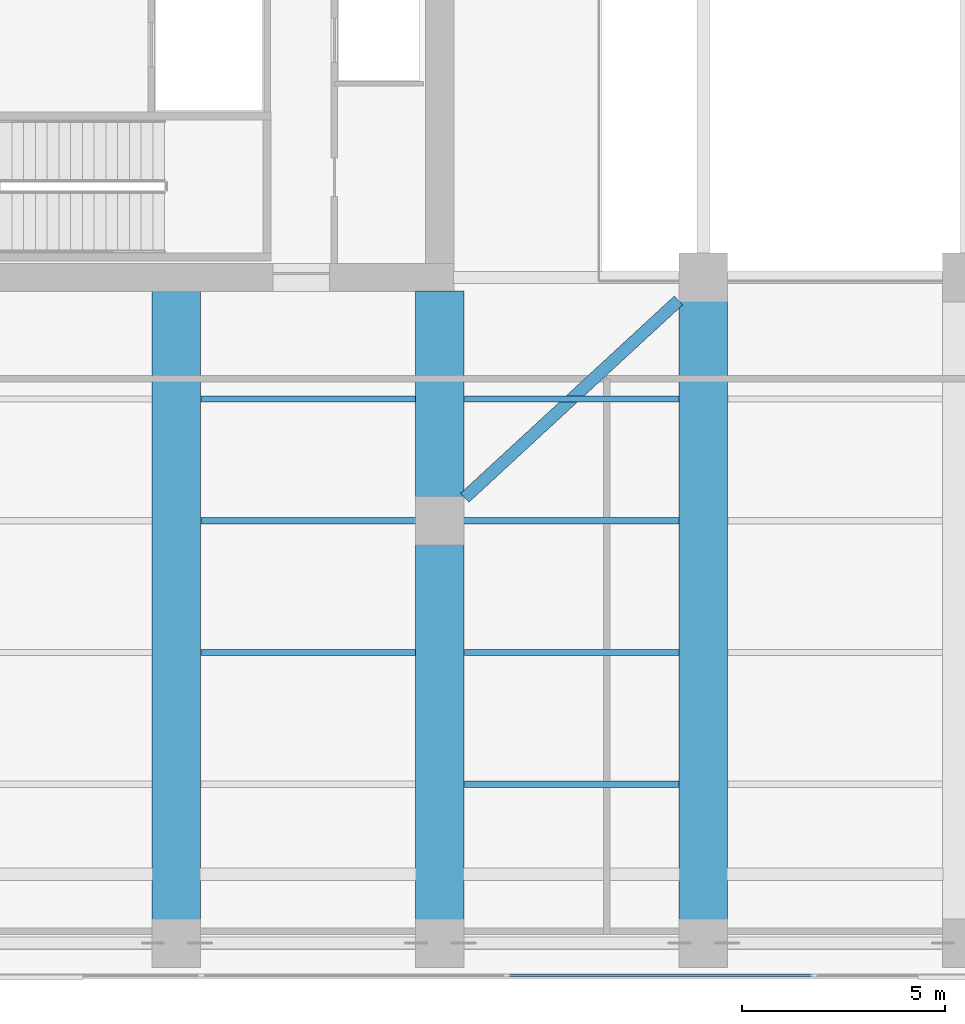
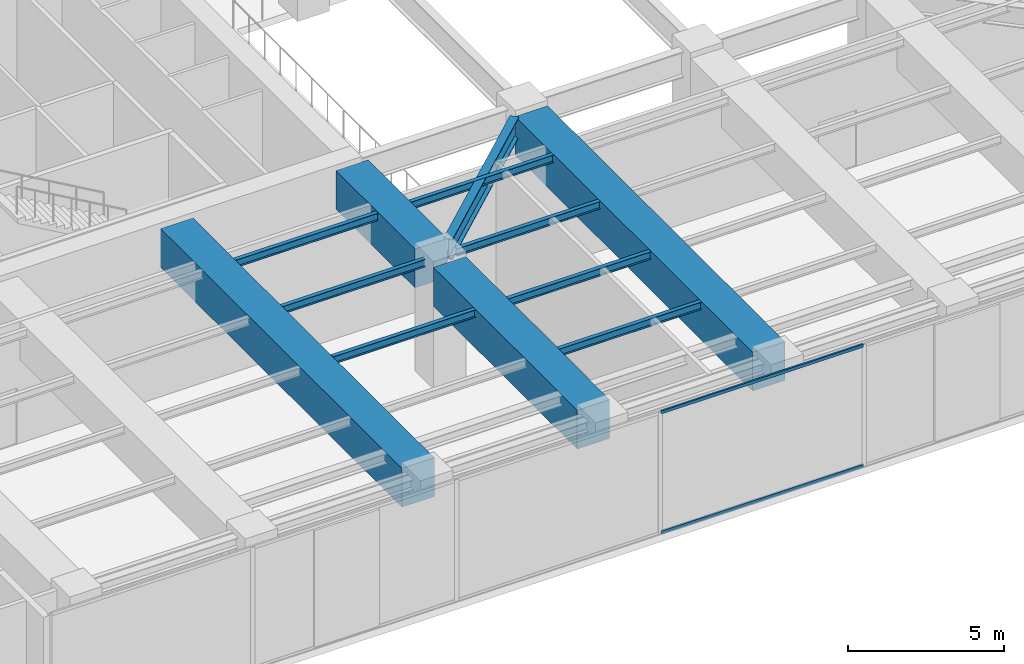
# One storey, part 3 of 28: 12 beams, 2 members, 1 element without a shape of its own.
"""IFC4 building model written with IfcOpenShell, lengths in metres."""

from ifc_helpers import new_model, si_unit, direction, frame, origin, origin_2d, place, context, subcontext, project, spatial, rectangle, i_section, extrude, material, layer, layer_set, material_profile, profile_set, type_object, element, aggregate, save


model = new_model("IFC4")

# Units and contexts
model_context = context("Model", 3, precision=1e-05, world=origin(), true_north=direction((0.0, 1.0)))
body_context = subcontext(model_context, "Body", "Model", "MODEL_VIEW")
ifc_project = project(units=[si_unit("LENGTHUNIT", "METRE"), si_unit("AREAUNIT", "SQUARE_METRE"), si_unit("VOLUMEUNIT", "CUBIC_METRE"), si_unit("PLANEANGLEUNIT", "RADIAN"), si_unit("MASSUNIT", "GRAM", prefix="KILO")], contexts=[model_context])

# Site, building, storey
site_placement = place(None, origin())
site = spatial("IfcSite", under=ifc_project, at=site_placement, CompositionType="ELEMENT")
building_placement = place(site_placement, origin())
building = spatial("IfcBuilding", under=site, at=building_placement, Name="Putna Gate Headquarters", CompositionType="ELEMENT")
storey_placement = place(building_placement, frame((0.0, 0.0, 139.199951171875)))
storey = spatial("IfcBuildingStorey", under=building, at=storey_placement, Name="L34", CompositionType="ELEMENT", Elevation=139.199951171875)

# Beams
ifc_material_1 = material(Name="Steel S355J2", Category="steel")
ifc_material_profile_1 = material_profile(ifc_material_1, i_section(OverallWidth=0.300048828125, OverallDepth=0.800048828125, WebThickness=0.017578125, FlangeThickness=0.032958984375, at=origin_2d()), Name="Steel S355J2")
ifc_profile_set_1 = profile_set([ifc_material_profile_1], Name="Steel S355J2")
beam_type_1 = type_object("IfcBeamType", Name="BM-GIRD-P-HEB800", PredefinedType="USERDEFINED", material=ifc_profile_set_1)
beam_1_placement = place(storey_placement, frame((26.6142578125, 13.56689453125, 4.3720703125), z_axis=(0.734787788201, 0.678297063469, 0.0), x_axis=(-0.678297063469, 0.734787788201, 0.0)))
element("IfcBeam", 1, at=beam_1_placement, inside=storey, type_object=beam_type_1, Name="L34 Core Flank Collector Tie Girder SW", ObjectType="GIRDER", PredefinedType="USERDEFINED", context=body_context, shape_type="SweptSolid", body=[
    extrude(i_section(OverallWidth=0.300048828125, OverallDepth=0.800048828125, WebThickness=0.017578125, FlangeThickness=0.032958984375, at=origin_2d()), origin(), (0.0, 0.0, 1.0), 7.174072265625),
])
ifc_material_profile_2 = material_profile(ifc_material_1, i_section(OverallWidth=0.14990234375, OverallDepth=0.300048828125, WebThickness=0.007080078125, FlangeThickness=0.0107421875, at=origin_2d()), Name="Steel S355J2")
ifc_profile_set_2 = profile_set([ifc_material_profile_2], Name="Steel S355J2")
beam_type_2 = type_object("IfcBeamType", Name="BM-SEC-Z3-IPE300", PredefinedType="JOIST", material=ifc_profile_set_2)
beam_2_placement = place(storey_placement, frame((20.10400390625, 9.75, 4.6220703125), z_axis=(1.0, 0.0, 0.0), x_axis=(0.0, 1.0, 0.0)))
element("IfcBeam", 2, at=beam_2_placement, inside=storey, type_object=beam_type_2, Name="L34 South Secondary Beam 3", PredefinedType="JOIST", context=body_context, shape_type="SweptSolid", body=[
    extrude(i_section(OverallWidth=0.14990234375, OverallDepth=0.300048828125, WebThickness=0.007080078125, FlangeThickness=0.0107421875, at=origin_2d()), origin(), (0.0, 0.0, 1.0), 5.2919921875),
])
beam_3_placement = place(storey_placement, frame((20.10400390625, 13.0, 4.6220703125), z_axis=(1.0, 0.0, 0.0), x_axis=(0.0, 1.0, 0.0)))
element("IfcBeam", 3, at=beam_3_placement, inside=storey, type_object=beam_type_2, Name="L34 South Secondary Beam 3", PredefinedType="JOIST", context=body_context, shape_type="SweptSolid", body=[
    extrude(i_section(OverallWidth=0.14990234375, OverallDepth=0.300048828125, WebThickness=0.007080078125, FlangeThickness=0.0107421875, at=origin_2d()), origin(), (0.0, 0.0, 1.0), 5.30810546875),
])
for number, where, z_axis, x_axis, name in (
    (4, (20.10400390625, 16.0, 4.6220703125), (1.0, 0.0, 0.0), (0.0, 1.0, 0.0), "L34 South Secondary Beam 3"),
    (5, (26.60400390625, 6.5, 4.6220703125), (1.0, 0.0, 0.0), (0.0, 1.0, 0.0), "L34 South Secondary Beam 4"),
    (6, (26.60400390625, 9.75, 4.6220703125), (1.0, 0.0, 0.0), (0.0, 1.0, 0.0), "L34 South Secondary Beam 4"),
):
    element("IfcBeam", number, at=place(storey_placement, frame(where, z_axis=z_axis, x_axis=x_axis)), inside=storey, type_object=beam_type_2, Name=name, PredefinedType="JOIST", context=body_context, shape_type="SweptSolid", body=[
        extrude(i_section(OverallWidth=0.14990234375, OverallDepth=0.300048828125, WebThickness=0.007080078125, FlangeThickness=0.0107421875, at=origin_2d()), origin(), (0.0, 0.0, 1.0), 5.2919921875),
    ])
beam_4_placement = place(storey_placement, frame((26.587890625, 13.0, 4.6220703125), z_axis=(1.0, 0.0, 0.0), x_axis=(0.0, 1.0, 0.0)))
element("IfcBeam", 7, at=beam_4_placement, inside=storey, type_object=beam_type_2, Name="L34 South Secondary Beam 4", PredefinedType="JOIST", context=body_context, shape_type="SweptSolid", body=[
    extrude(i_section(OverallWidth=0.14990234375, OverallDepth=0.300048828125, WebThickness=0.007080078125, FlangeThickness=0.0107421875, at=origin_2d()), origin(), (0.0, 0.0, 1.0), 5.30810546875),
])
beam_5_placement = place(storey_placement, frame((26.60400390625, 16.0, 4.6220703125), z_axis=(1.0, 0.0, 0.0), x_axis=(0.0, 1.0, 0.0)))
element("IfcBeam", 8, at=beam_5_placement, inside=storey, type_object=beam_type_2, Name="L34 South Secondary Beam 4", PredefinedType="JOIST", context=body_context, shape_type="SweptSolid", body=[
    extrude(i_section(OverallWidth=0.14990234375, OverallDepth=0.300048828125, WebThickness=0.007080078125, FlangeThickness=0.0107421875, at=origin_2d()), origin(), (0.0, 0.0, 1.0), 5.2919921875),
])
ifc_material_2 = material(Name="Concrete C50/60", Category="concrete")
ifc_material_profile_3 = material_profile(ifc_material_2, rectangle(XDim=1.199951171875, YDim=1.52001953125, at=origin_2d()), Name="Concrete C50/60")
ifc_profile_set_3 = profile_set([ifc_material_profile_3], Name="Concrete C50/60")
beam_type_3 = type_object("IfcBeamType", Name="BM-TG-RC1520", PredefinedType="USERDEFINED", material=ifc_profile_set_3)
beam_6_placement = place(storey_placement, frame((19.5, 3.16796875, 4.011962890625), z_axis=(0.0, 1.0, 0.0), x_axis=(-1.0, 0.0, 0.0)))
element("IfcBeam", 9, at=beam_6_placement, inside=storey, type_object=beam_type_3, Name="L34 South Primary Girder X19", ObjectType="GIRDER", PredefinedType="USERDEFINED", context=body_context, shape_type="SweptSolid", body=[
    extrude(rectangle(XDim=1.199951171875, YDim=1.52001953125, at=origin_2d()), origin(), (0.0, 0.0, 1.0), 15.4970703125),
])
beam_7_placement = place(storey_placement, frame((26.0, 3.16796875, 4.011962890625), z_axis=(0.0, 1.0, 0.0), x_axis=(-1.0, 0.0, 0.0)))
element("IfcBeam", 10, at=beam_7_placement, inside=storey, type_object=beam_type_3, Name="L34 South Primary Girder X26-1", ObjectType="GIRDER", PredefinedType="USERDEFINED", context=body_context, shape_type="SweptSolid", body=[
    extrude(rectangle(XDim=1.199951171875, YDim=1.52001953125, at=origin_2d()), origin(), (0.0, 0.0, 1.0), 9.244140625),
])
beam_8_placement = place(storey_placement, frame((26.0, 13.587890625, 4.011962890625), z_axis=(0.0, 1.0, 0.0), x_axis=(-1.0, 0.0, 0.0)))
element("IfcBeam", 11, at=beam_8_placement, inside=storey, type_object=beam_type_3, Name="L34 South Primary Girder X26-2", ObjectType="GIRDER", PredefinedType="USERDEFINED", context=body_context, shape_type="SweptSolid", body=[
    extrude(rectangle(XDim=1.199951171875, YDim=1.52001953125, at=origin_2d()), origin(), (0.0, 0.0, 1.0), 5.0771484375),
])
beam_9_placement = place(storey_placement, frame((32.5, 3.16796875, 4.011962890625), z_axis=(0.0, 1.0, 0.0), x_axis=(-1.0, 0.0, 0.0)))
element("IfcBeam", 12, at=beam_9_placement, inside=storey, type_object=beam_type_3, Name="L34 South Primary Girder X32", ObjectType="GIRDER", PredefinedType="USERDEFINED", context=body_context, shape_type="SweptSolid", body=[
    extrude(rectangle(XDim=1.199951171875, YDim=1.52001953125, at=origin_2d()), origin(), (0.0, 0.0, 1.0), 15.244140625),
])

# Curtain wall, members
ifc_material_3 = material(Name="Anodised bronze aluminium curtain wall", Category="aluminium")
ifc_layer = layer(ifc_material_3, 0.159912109375)
ifc_layer_set = layer_set([ifc_layer], Name="Anodised bronze aluminium curtain wall")
curtain_wall_type = type_object("IfcCurtainWallType", Name="CW-SYS-CRN", PredefinedType="USERDEFINED", material=ifc_layer_set)
curtain_wall_placement = place(storey_placement, origin())
curtain_wall = element("IfcCurtainWall", 13, at=curtain_wall_placement, inside=storey, type_object=curtain_wall_type, Name="L34 Acoustic Louvre South Enclosure", ObjectType="STICK CURTAIN WALL", PredefinedType="USERDEFINED")
ifc_material_4 = material(Name="Anodised bronze aluminium EN AW-6060", Category="aluminium")
ifc_material_profile_4 = material_profile(ifc_material_4, rectangle(XDim=0.06494140625, YDim=0.1201171875, at=origin_2d()), Name="Anodised bronze aluminium EN AW-6060")
ifc_profile_set_4 = profile_set([ifc_material_profile_4], Name="Anodised bronze aluminium EN AW-6060")
member_type = type_object("IfcMemberType", Name="TRAN-CWT-CR", PredefinedType="USERDEFINED", material=ifc_profile_set_4)
member_1_placement = place(storey_placement, frame((27.69921875, 1.780029296875, 0.032470703125), z_axis=(1.0, 0.0, 0.0), x_axis=(0.0, 1.0, 0.0)))
member_1 = element("IfcMember", 14, at=member_1_placement, type_object=member_type, Name="CWS-CR transom 4.1", ObjectType="TRANSOM", PredefinedType="USERDEFINED", context=body_context, shape_type="SweptSolid", body=[
    extrude(rectangle(XDim=0.06494140625, YDim=0.1201171875, at=origin_2d()), origin(), (0.0, 0.0, 1.0), 7.490478515625),
])
member_2_placement = place(storey_placement, frame((27.69921875, 1.780029296875, 4.739501953125), z_axis=(1.0, 0.0, 0.0), x_axis=(0.0, 1.0, 0.0)))
member_2 = element("IfcMember", 15, at=member_2_placement, type_object=member_type, Name="CWS-CR transom 4.2", ObjectType="TRANSOM", PredefinedType="USERDEFINED", context=body_context, shape_type="SweptSolid", body=[
    extrude(rectangle(XDim=0.06494140625, YDim=0.1201171875, at=origin_2d()), origin(), (0.0, 0.0, 1.0), 7.490478515625),
])
aggregate(curtain_wall, [member_1, member_2])

save(model, "model.ifc")
